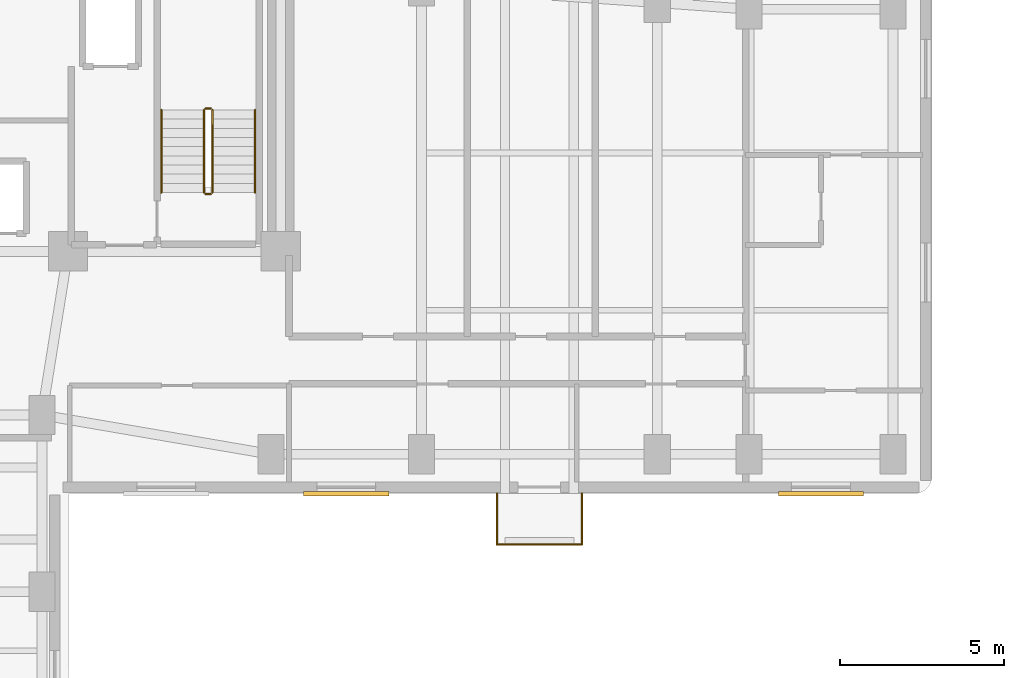
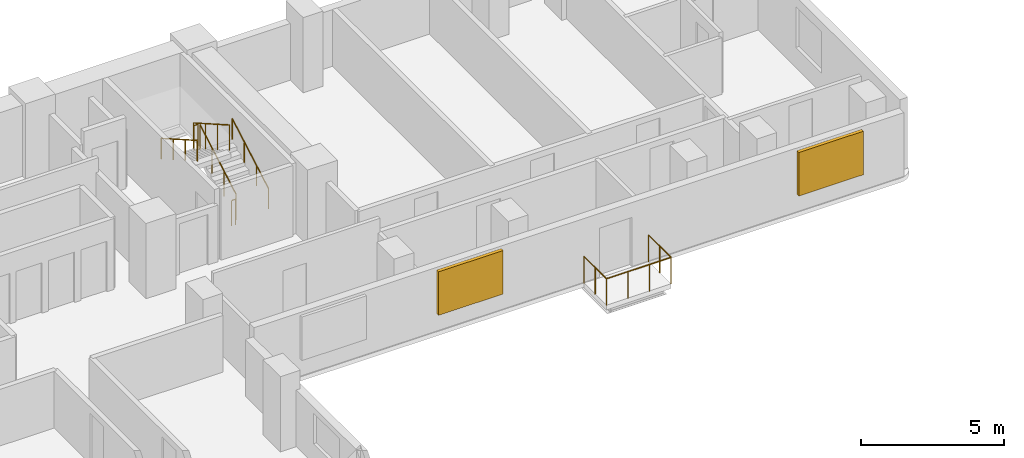
# One storey, part 8 of 9: 9 railings, 2 shading devices.
"""IFC4 building model written with IfcOpenShell, lengths in metres."""

from ifc_helpers import new_model, si_unit, direction, frame, origin, origin_2d, place, context, subcontext, project, spatial, rectangle, circle, extrude, material, layer, layer_set, type_object, element, save


model = new_model("IFC4")

# Units and contexts
model_context = context("Model", 3, precision=1e-05, world=origin(), true_north=direction((0.0, 1.0)))
body_context = subcontext(model_context, "Body", "Model", "MODEL_VIEW")
ifc_project = project(units=[si_unit("LENGTHUNIT", "METRE"), si_unit("AREAUNIT", "SQUARE_METRE"), si_unit("VOLUMEUNIT", "CUBIC_METRE"), si_unit("PLANEANGLEUNIT", "RADIAN"), si_unit("MASSUNIT", "GRAM", prefix="KILO")], contexts=[model_context])

# Site, building, storey
site_placement = place(None, origin())
site = spatial("IfcSite", under=ifc_project, at=site_placement, CompositionType="ELEMENT")
building_placement = place(site_placement, origin())
building = spatial("IfcBuilding", under=site, at=building_placement, Name="Kuzgunbayir Cultural Tower", CompositionType="ELEMENT")
storey_placement = place(building_placement, frame((0.0, 0.0, 96.199951171875)))
storey = spatial("IfcBuildingStorey", under=building, at=storey_placement, Name="L27", CompositionType="ELEMENT", Elevation=96.199951171875)

# Railings
ifc_material_1 = material(Name="Laminated Glass and Stainless Steel", Category="steel")
ifc_layer_1 = layer(ifc_material_1, 0.080078125)
ifc_layer_set_1 = layer_set([ifc_layer_1], Name="Laminated Glass and Stainless Steel")
railing_type_1 = type_object("IfcRailingType", Name="RLG-BAL-115", PredefinedType="BALUSTRADE", material=ifc_layer_set_1)
railing_1_placement = place(storey_placement, frame((33.5, 26.39990234375, 0.0)))
element("IfcRailing", 1, at=railing_1_placement, inside=storey, type_object=railing_type_1, Name="L27 Balcony Guard BAL-L27-WB2 Segment 1", PredefinedType="BALUSTRADE", context=body_context, shape_type="SweptSolid", body=[
    extrude(circle(Radius=0.02392578125, at=origin_2d()), frame((0.0, 0.0, 1.1259765625), z_axis=(0.0, -1.0, 0.0), x_axis=(1.0, 0.0, 0.0)), (0.0, 0.0, 1.0), 1.559814453125),
    extrude(circle(Radius=0.02099609375, at=origin_2d()), origin(), (0.0, 0.0, 1.0), 1.101806640625),
    extrude(circle(Radius=0.02099609375, at=origin_2d()), frame((0.0, -0.77978515625, 0.0)), (0.0, 0.0, 1.0), 1.101806640625),
    extrude(circle(Radius=0.02099609375, at=origin_2d()), frame((0.0, -1.559814453125, 0.0)), (0.0, 0.0, 1.0), 1.101806640625),
])
railing_2_placement = place(storey_placement, frame((33.5, 24.840087890625, 0.0)))
element("IfcRailing", 2, at=railing_2_placement, inside=storey, type_object=railing_type_1, Name="L27 Balcony Guard BAL-L27-WB2 Segment 2", PredefinedType="BALUSTRADE", context=body_context, shape_type="SweptSolid", body=[
    extrude(circle(Radius=0.02392578125, at=origin_2d()), frame((0.0, 0.0, 1.1259765625), z_axis=(1.0, 0.0, 0.0), x_axis=(0.0, 1.0, 0.0)), (0.0, 0.0, 1.0), 2.60009765625),
    extrude(circle(Radius=0.02099609375, at=origin_2d()), origin(), (0.0, 0.0, 1.0), 1.101806640625),
    extrude(circle(Radius=0.02099609375, at=origin_2d()), frame((0.86669921875, 0.0, 0.0)), (0.0, 0.0, 1.0), 1.101806640625),
    extrude(circle(Radius=0.02099609375, at=origin_2d()), frame((1.7333984375, 0.0, 0.0)), (0.0, 0.0, 1.0), 1.101806640625),
    extrude(circle(Radius=0.02099609375, at=origin_2d()), frame((2.60009765625, 0.0, 0.0)), (0.0, 0.0, 1.0), 1.101806640625),
])
railing_3_placement = place(storey_placement, frame((36.10009765625, 24.840087890625, 0.0)))
element("IfcRailing", 3, at=railing_3_placement, inside=storey, type_object=railing_type_1, Name="L27 Balcony Guard BAL-L27-WB2 Segment 3", PredefinedType="BALUSTRADE", context=body_context, shape_type="SweptSolid", body=[
    extrude(circle(Radius=0.02392578125, at=origin_2d()), frame((0.0, 0.0, 1.1259765625), z_axis=(0.0, 1.0, 0.0), x_axis=(-1.0, 0.0, 0.0)), (0.0, 0.0, 1.0), 1.559814453125),
    extrude(circle(Radius=0.02099609375, at=origin_2d()), origin(), (0.0, 0.0, 1.0), 1.101806640625),
    extrude(circle(Radius=0.02099609375, at=origin_2d()), frame((0.0, 0.77978515625, 0.0)), (0.0, 0.0, 1.0), 1.101806640625),
    extrude(circle(Radius=0.02099609375, at=origin_2d()), frame((0.0, 1.559814453125, 0.0)), (0.0, 0.0, 1.0), 1.101806640625),
])
ifc_material_2 = material(Name="Brushed Stainless Steel", Category="steel")
ifc_layer_2 = layer(ifc_material_2, 0.050048828125)
ifc_layer_set_2 = layer_set([ifc_layer_2], Name="Brushed Stainless Steel")
railing_type_2 = type_object("IfcRailingType", Name="RLG-STAIR-HANDRAIL", PredefinedType="HANDRAIL", material=ifc_layer_set_2)
railing_4_placement = place(storey_placement, frame((26.110107421875, 35.60009765625, 0.16015625)))
element("IfcRailing", 4, at=railing_4_placement, inside=storey, type_object=railing_type_2, Name="L27 ST-2 stair handrail 1", PredefinedType="HANDRAIL", context=body_context, shape_type="SweptSolid", body=[
    extrude(circle(Radius=0.02392578125, at=origin_2d()), frame((0.0, 0.0, 0.8759765625), z_axis=(0.0, 0.868253494771, 0.496120820787), x_axis=(-1.0, 0.0, 0.0)), (0.0, 0.0, 1.0), 2.90234375),
    extrude(circle(Radius=0.02099609375, at=origin_2d()), origin(), (0.0, 0.0, 1.0), 0.851806640625),
    extrude(circle(Radius=0.02099609375, at=origin_2d()), frame((0.0, 0.840087890625, 0.47998046875)), (0.0, 0.0, 1.0), 0.851806640625),
    extrude(circle(Radius=0.02099609375, at=origin_2d()), frame((0.0, 1.679931640625, 0.9599609375)), (0.0, 0.0, 1.0), 0.851806640625),
    extrude(circle(Radius=0.02099609375, at=origin_2d()), frame((0.0, 2.52001953125, 1.43994140625)), (0.0, 0.0, 1.0), 0.851806640625),
])
railing_5_placement = place(storey_placement, frame((23.25, 38.1201171875, 1.760009765625)))
element("IfcRailing", 5, at=railing_5_placement, inside=storey, type_object=railing_type_2, Name="L27 ST-2 stair handrail 2", PredefinedType="HANDRAIL", context=body_context, shape_type="SweptSolid", body=[
    extrude(circle(Radius=0.02392578125, at=origin_2d()), frame((0.0, 0.0, 0.8759765625), z_axis=(0.0, -0.868253494771, 0.496120820787), x_axis=(1.0, 0.0, 0.0)), (0.0, 0.0, 1.0), 2.90234375),
    extrude(circle(Radius=0.02099609375, at=origin_2d()), origin(), (0.0, 0.0, 1.0), 0.851806640625),
    extrude(circle(Radius=0.02099609375, at=origin_2d()), frame((0.0, -0.840087890625, 0.47998046875)), (0.0, 0.0, 1.0), 0.851806640625),
    extrude(circle(Radius=0.02099609375, at=origin_2d()), frame((0.0, -1.679931640625, 0.9599609375)), (0.0, 0.0, 1.0), 0.851806640625),
    extrude(circle(Radius=0.02099609375, at=origin_2d()), frame((0.0, -2.52001953125, 1.43994140625)), (0.0, 0.0, 1.0), 0.851806640625),
])
ifc_material_3 = material(Name="Painted Steel Balustrade", Category="steel")
ifc_layer_3 = layer(ifc_material_3, 0.06005859375)
ifc_layer_set_3 = layer_set([ifc_layer_3], Name="Painted Steel Balustrade")
railing_type_3 = type_object("IfcRailingType", Name="RLG-WELL-GUARD", PredefinedType="GUARDRAIL", material=ifc_layer_set_3)
railing_6_placement = place(storey_placement, frame((24.81005859375, 35.60009765625, 0.16015625)))
element("IfcRailing", 6, at=railing_6_placement, inside=storey, type_object=railing_type_3, Name="L27 ST-2 stair guard 1", PredefinedType="GUARDRAIL", context=body_context, shape_type="SweptSolid", body=[
    extrude(circle(Radius=0.02392578125, at=origin_2d()), frame((0.0, 0.0, 1.076171875), z_axis=(0.0, 0.868253494771, 0.496120820787), x_axis=(-1.0, 0.0, 0.0)), (0.0, 0.0, 1.0), 2.90234375),
    extrude(circle(Radius=0.02099609375, at=origin_2d()), origin(), (0.0, 0.0, 1.0), 1.052001953125),
    extrude(circle(Radius=0.02099609375, at=origin_2d()), frame((0.0, 0.840087890625, 0.47998046875)), (0.0, 0.0, 1.0), 1.052001953125),
    extrude(circle(Radius=0.02099609375, at=origin_2d()), frame((0.0, 1.679931640625, 0.9599609375)), (0.0, 0.0, 1.0), 1.052001953125),
    extrude(circle(Radius=0.02099609375, at=origin_2d()), frame((0.0, 2.52001953125, 1.43994140625)), (0.0, 0.0, 1.0), 1.052001953125),
])
railing_7_placement = place(storey_placement, frame((24.760009765625, 38.169921875, 1.60009765625)))
element("IfcRailing", 7, at=railing_7_placement, inside=storey, type_object=railing_type_3, Name="L27 ST-2 stair guard 2", PredefinedType="GUARDRAIL", context=body_context, shape_type="SweptSolid", body=[
    extrude(circle(Radius=0.02392578125, at=origin_2d()), frame((0.0, 0.0, 1.076171875), z_axis=(-1.0, 0.0, 0.0), x_axis=(0.0, -1.0, 0.0)), (0.0, 0.0, 1.0), 0.159912109375),
    extrude(circle(Radius=0.02099609375, at=origin_2d()), origin(), (0.0, 0.0, 1.0), 1.052001953125),
    extrude(circle(Radius=0.02099609375, at=origin_2d()), frame((-0.159912109375, 0.0, 0.0)), (0.0, 0.0, 1.0), 1.052001953125),
])
railing_8_placement = place(storey_placement, frame((24.550048828125, 38.1201171875, 1.760009765625)))
element("IfcRailing", 8, at=railing_8_placement, inside=storey, type_object=railing_type_3, Name="L27 ST-2 stair guard 3", PredefinedType="GUARDRAIL", context=body_context, shape_type="SweptSolid", body=[
    extrude(circle(Radius=0.02392578125, at=origin_2d()), frame((0.0, 0.0, 1.076171875), z_axis=(0.0, -0.868253494771, 0.496120820787), x_axis=(1.0, 0.0, 0.0)), (0.0, 0.0, 1.0), 2.90234375),
    extrude(circle(Radius=0.02099609375, at=origin_2d()), origin(), (0.0, 0.0, 1.0), 1.052001953125),
    extrude(circle(Radius=0.02099609375, at=origin_2d()), frame((0.0, -0.840087890625, 0.47998046875)), (0.0, 0.0, 1.0), 1.052001953125),
    extrude(circle(Radius=0.02099609375, at=origin_2d()), frame((0.0, -1.679931640625, 0.9599609375)), (0.0, 0.0, 1.0), 1.052001953125),
    extrude(circle(Radius=0.02099609375, at=origin_2d()), frame((0.0, -2.52001953125, 1.43994140625)), (0.0, 0.0, 1.0), 1.052001953125),
])
railing_9_placement = place(storey_placement, frame((24.760009765625, 35.550048828125, 0.0)))
element("IfcRailing", 9, at=railing_9_placement, inside=storey, type_object=railing_type_3, Name="L27 ST-2 stair guard 4", PredefinedType="GUARDRAIL", context=body_context, shape_type="SweptSolid", body=[
    extrude(circle(Radius=0.02392578125, at=origin_2d()), frame((0.0, 0.0, 1.076171875), z_axis=(-1.0, 0.0, 0.0), x_axis=(0.0, -1.0, 0.0)), (0.0, 0.0, 1.0), 0.159912109375),
    extrude(circle(Radius=0.02099609375, at=origin_2d()), origin(), (0.0, 0.0, 1.0), 1.052001953125),
    extrude(circle(Radius=0.02099609375, at=origin_2d()), frame((-0.159912109375, 0.0, 0.0)), (0.0, 0.0, 1.0), 1.052001953125),
])

# Shading devices
ifc_material_4 = material(Name="Perforated Bronze-Anodised Aluminium", Category="aluminium")
shading_device_type = type_object("IfcShadingDeviceType", Name="SHD-SOLAR-BRONZE", PredefinedType="JALOUSIE", material=ifc_material_4)
for number, where, z_axis, x_axis, name in (
    (10, (28.89990234375, 26.389892578125, 0.735107421875), (0.0, 0.0, 1.0), (1.0, 0.0, 0.0), "L27 Solar Screen WBS11"),
    (11, (43.39990234375, 26.389892578125, 0.735107421875), (0.0, 0.0, 1.0), (1.0, 0.0, 0.0), "L27 Solar Screen WBS12"),
):
    element("IfcShadingDevice", number, at=place(storey_placement, frame(where, z_axis=z_axis, x_axis=x_axis)), inside=storey, type_object=shading_device_type, Name=name, PredefinedType="JALOUSIE", context=body_context, shape_type="SweptSolid", body=[
        extrude(rectangle(XDim=2.60009765625, YDim=0.139892578125, at=origin_2d()), origin(), (0.0, 0.0, 1.0), 1.85009765625),
    ])

save(model, "model.ifc")
